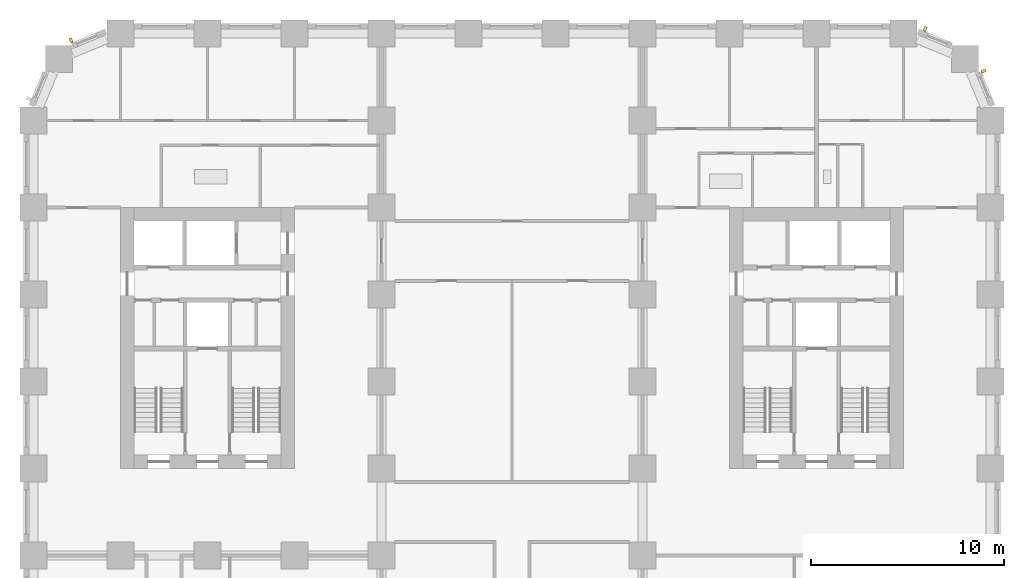
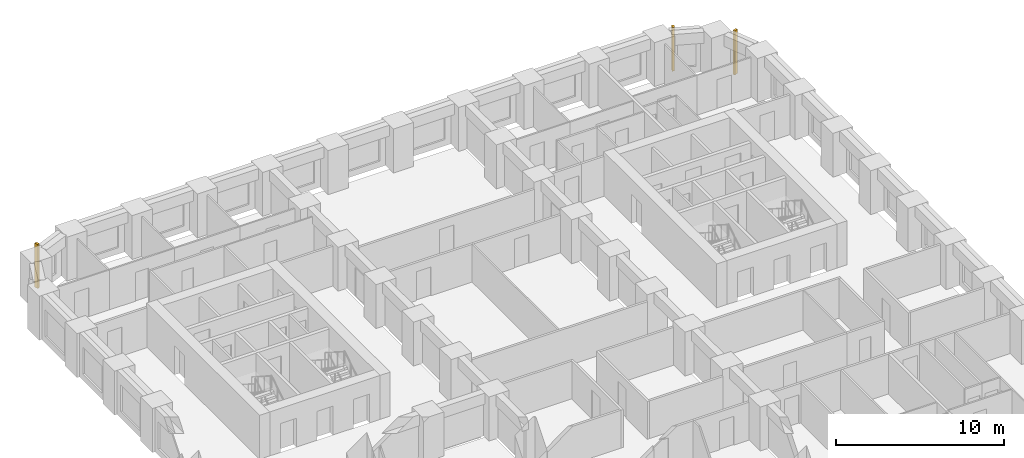
# One storey, part 11 of 12: 3 shading devices.
"""IFC4 building model written with IfcOpenShell, lengths in metres."""

from ifc_helpers import new_model, si_unit, direction, frame, origin, origin_2d, place, context, subcontext, project, spatial, rectangle, extrude, material, type_object, element, save


model = new_model("IFC4")

# Units and contexts
model_context = context("Model", 3, precision=1e-05, world=origin(), true_north=direction((0.0, 1.0)))
body_context = subcontext(model_context, "Body", "Model", "MODEL_VIEW")
ifc_project = project(units=[si_unit("LENGTHUNIT", "METRE"), si_unit("AREAUNIT", "SQUARE_METRE"), si_unit("VOLUMEUNIT", "CUBIC_METRE"), si_unit("PLANEANGLEUNIT", "RADIAN"), si_unit("MASSUNIT", "GRAM", prefix="KILO")], contexts=[model_context])

# Site, building, storey
site_placement = place(None, origin())
site = spatial("IfcSite", under=ifc_project, at=site_placement, CompositionType="ELEMENT")
building_placement = place(site_placement, origin())
building = spatial("IfcBuilding", under=site, at=building_placement, Name="Girih Gate Residences", CompositionType="ELEMENT")
storey_placement = place(building_placement, frame((0.0, 0.0, 36.800048828125)))
storey = spatial("IfcBuildingStorey", under=building, at=storey_placement, Name="L08", CompositionType="ELEMENT", Elevation=36.800048828125)

# Shading devices
ifc_material = material(Name="Precast concrete C50/60", Category="concrete")
shading_device_type = type_object("IfcShadingDeviceType", Name="Corner rib 150x250", PredefinedType="USERDEFINED", material=ifc_material)
for number, where, z_axis, x_axis, name in (
    (1, (49.14501953125, 47.5556640625, 0.0), (0.0, 0.0, 1.0), (-0.382683432365, 0.923879532511, 0.0), "Corner rib NE0495_0450.0"),
    (2, (46.123779296875, 49.738037109375, 0.0), (0.0, 0.0, 1.0), (-0.923879532511, 0.382683432365, 0.0), "Corner rib NE0482_0482.0"),
    (3, (1.9443359375, 49.14501953125, 0.0), (0.0, 0.0, 1.0), (-0.923879532511, -0.382683432365, 0.0), "Corner rib NW0045_0495.0"),
):
    element("IfcShadingDevice", number, at=place(storey_placement, frame(where, z_axis=z_axis, x_axis=x_axis)), inside=storey, type_object=shading_device_type, Name=name, ObjectType="FIN", PredefinedType="USERDEFINED", context=body_context, shape_type="SweptSolid", body=[
        extrude(rectangle(XDim=0.14990234375, YDim=0.25, at=origin_2d()), origin(), (0.0, 0.0, 1.0), 3.199951171875),
    ])

save(model, "model.ifc")
